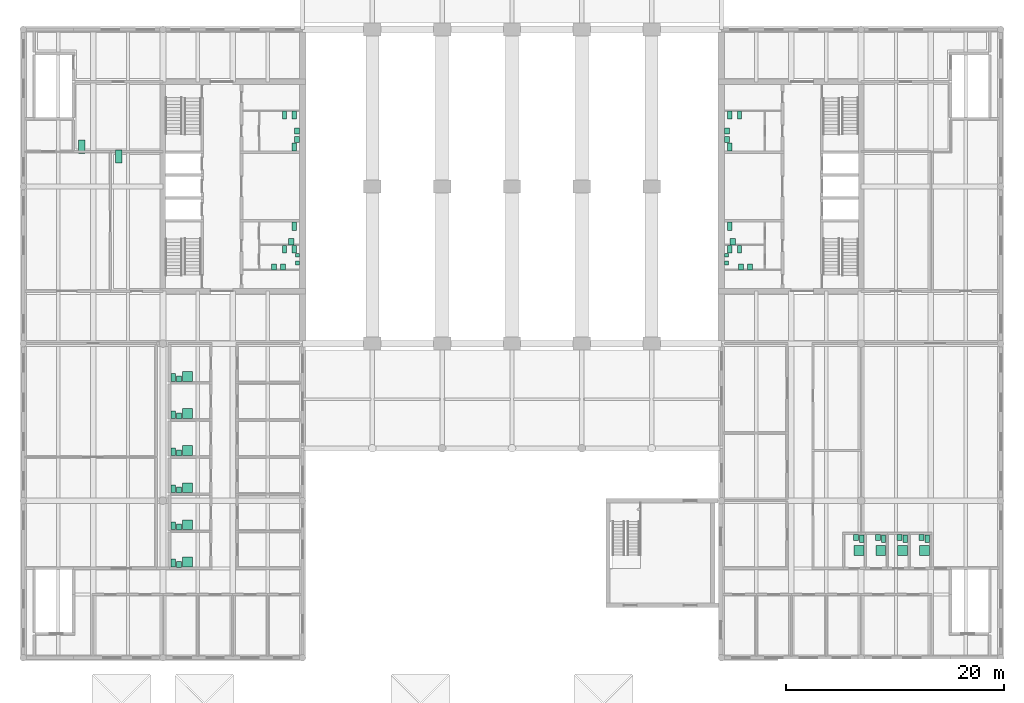
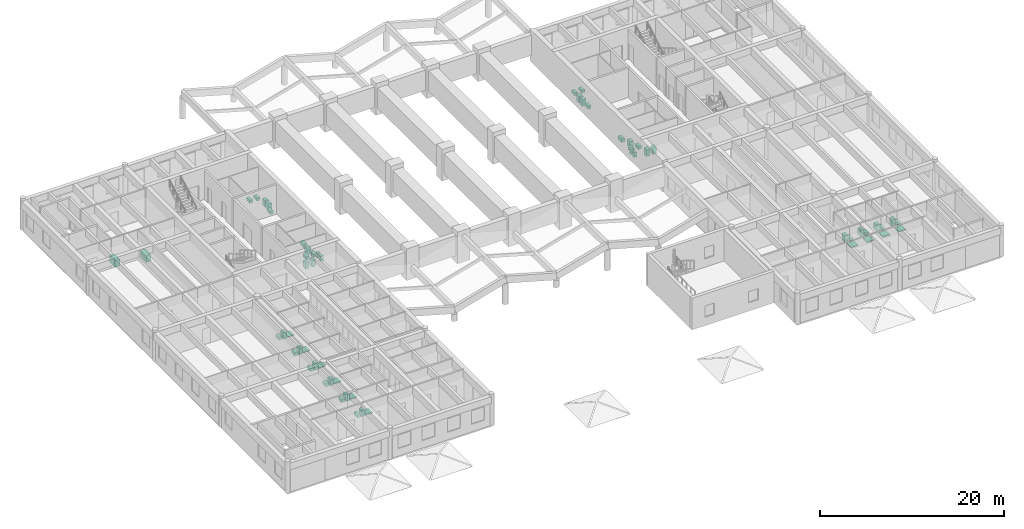
# One storey, part 19 of 19: 58 sanitary terminals.
"""IFC4 building model written with IfcOpenShell, lengths in metres."""

from ifc_helpers import new_model, si_unit, direction, frame, origin, origin_2d, place, context, subcontext, project, spatial, rectangle, extrude, material, type_object, element, save


model = new_model("IFC4")

# Units and contexts
model_context = context("Model", 3, precision=1e-05, world=origin(), true_north=direction((0.0, 1.0)))
body_context = subcontext(model_context, "Body", "Model", "MODEL_VIEW")
ifc_project = project(units=[si_unit("LENGTHUNIT", "METRE"), si_unit("AREAUNIT", "SQUARE_METRE"), si_unit("VOLUMEUNIT", "CUBIC_METRE"), si_unit("PLANEANGLEUNIT", "RADIAN"), si_unit("MASSUNIT", "GRAM", prefix="KILO")], contexts=[model_context])

# Site, building, storey
site_placement = place(None, origin())
site = spatial("IfcSite", under=ifc_project, at=site_placement, CompositionType="ELEMENT")
building_placement = place(site_placement, origin())
building = spatial("IfcBuilding", under=site, at=building_placement, Name="Fogon Plaza Fire Station and Headquarters Tower", CompositionType="ELEMENT")
storey_placement = place(building_placement, frame((0.0, 0.0, 4.199951171875)))
storey = spatial("IfcBuildingStorey", under=building, at=storey_placement, Name="L01", CompositionType="ELEMENT", Elevation=4.199951171875)

# Sanitary terminals
ifc_material_1 = material(Name="Vitreous china")
sanitary_terminal_type_1 = type_object("IfcSanitaryTerminalType", Name="Accessible Hand Basin 600x500", PredefinedType="WASHHANDBASIN", material=ifc_material_1)
for number, where, z_axis, x_axis, name in (
    (1, (24.550048828125, 38.14990234375, 0.0), (0.0, 0.0, 1.0), (1.0, 0.0, 0.0), "Accessible Hand Basin"),
    (2, (65.050048828125, 38.14990234375, 0.0), (0.0, 0.0, 1.0), (1.0, 0.0, 0.0), "Accessible Hand Basin"),
):
    element("IfcSanitaryTerminal", number, at=place(storey_placement, frame(where, z_axis=z_axis, x_axis=x_axis)), inside=storey, type_object=sanitary_terminal_type_1, Name=name, PredefinedType="WASHHANDBASIN", context=body_context, shape_type="SweptSolid", body=[
        extrude(rectangle(XDim=0.5, YDim=0.60009765625, at=origin_2d()), origin(), (0.0, 0.0, 1.0), 0.800048828125),
    ])
ifc_material_2 = material(Name="Vitreous china")
sanitary_terminal_type_2 = type_object("IfcSanitaryTerminalType", Name="Accessible WC Pan 400x750", PredefinedType="TOILETPAN", material=ifc_material_2)
for number, where, z_axis, x_axis, name in (
    (3, (24.85009765625, 39.550048828125, 0.0), (0.0, 0.0, 1.0), (1.0, 0.0, 0.0), "Accessible WC Pan"),
    (4, (64.75, 39.550048828125, 0.0), (0.0, 0.0, 1.0), (1.0, 0.0, 0.0), "Accessible WC Pan"),
):
    element("IfcSanitaryTerminal", number, at=place(storey_placement, frame(where, z_axis=z_axis, x_axis=x_axis)), inside=storey, type_object=sanitary_terminal_type_2, Name=name, PredefinedType="TOILETPAN", context=body_context, shape_type="SweptSolid", body=[
        extrude(rectangle(XDim=0.39990234375, YDim=0.75, at=origin_2d()), origin(), (0.0, 0.0, 1.0), 0.47998046875),
    ])
ifc_material_3 = material(Name="Vitreous china")
sanitary_terminal_type_3 = type_object("IfcSanitaryTerminalType", Name="Hand Basin 550x450", PredefinedType="WASHHANDBASIN", material=ifc_material_3)
for number, where, z_axis, x_axis, name in (
    (5, (23.800048828125, 35.824951171875, 0.0), (0.0, 0.0, 1.0), (1.0, 0.0, 0.0), "Hand Basin"),
    (6, (23.0, 35.824951171875, 0.0), (0.0, 0.0, 1.0), (1.0, 0.0, 0.0), "Hand Basin"),
    (7, (25.074951171875, 47.52490234375, 0.0), (0.0, 0.0, 1.0), (1.0, 0.0, 0.0), "Hand Basin"),
    (8, (25.074951171875, 48.27490234375, 0.0), (0.0, 0.0, 1.0), (1.0, 0.0, 0.0), "Hand Basin"),
    (9, (65.800048828125, 35.824951171875, 0.0), (0.0, 0.0, 1.0), (1.0, 0.0, 0.0), "Hand Basin"),
    (10, (66.60009765625, 35.824951171875, 0.0), (0.0, 0.0, 1.0), (1.0, 0.0, 0.0), "Hand Basin"),
    (11, (64.52490234375, 47.52490234375, 0.0), (0.0, 0.0, 1.0), (1.0, 0.0, 0.0), "Hand Basin"),
    (12, (64.52490234375, 48.27490234375, 0.0), (0.0, 0.0, 1.0), (1.0, 0.0, 0.0), "Hand Basin"),
    (13, (14.264892578125, 8.56494140625, 0.0), (0.0, 0.0, 1.0), (1.0, 0.0, 0.0), "Hand Basin"),
    (14, (14.264892578125, 11.965087890625, 0.0), (0.0, 0.0, 1.0), (1.0, 0.0, 0.0), "Hand Basin"),
    (15, (14.264892578125, 15.364990234375, 0.0), (0.0, 0.0, 1.0), (1.0, 0.0, 0.0), "Hand Basin"),
    (16, (14.264892578125, 18.764892578125, 0.0), (0.0, 0.0, 1.0), (1.0, 0.0, 0.0), "Hand Basin"),
    (17, (14.264892578125, 22.1650390625, 0.0), (0.0, 0.0, 1.0), (1.0, 0.0, 0.0), "Hand Basin"),
    (18, (14.264892578125, 25.56494140625, 0.0), (0.0, 0.0, 1.0), (1.0, 0.0, 0.0), "Hand Basin"),
    (19, (82.3349609375, 11.034912109375, 0.0), (0.0, 0.0, 1.0), (1.0, 0.0, 0.0), "Hand Basin"),
    (20, (80.3349609375, 11.034912109375, 0.0), (0.0, 0.0, 1.0), (1.0, 0.0, 0.0), "Hand Basin"),
    (21, (78.3349609375, 11.034912109375, 0.0), (0.0, 0.0, 1.0), (1.0, 0.0, 0.0), "Hand Basin"),
    (22, (76.3349609375, 11.034912109375, 0.0), (0.0, 0.0, 1.0), (1.0, 0.0, 0.0), "Hand Basin"),
):
    element("IfcSanitaryTerminal", number, at=place(storey_placement, frame(where, z_axis=z_axis, x_axis=x_axis)), inside=storey, type_object=sanitary_terminal_type_3, Name=name, PredefinedType="WASHHANDBASIN", context=body_context, shape_type="SweptSolid", body=[
        extrude(rectangle(XDim=0.449951171875, YDim=0.550048828125, at=origin_2d()), origin(), (0.0, 0.0, 1.0), 0.85009765625),
    ])
ifc_material_4 = material(Name="Vitreous china")
sanitary_terminal_type_4 = type_object("IfcSanitaryTerminalType", Name="Shower Tray 900x900", PredefinedType="SHOWER", material=ifc_material_4)
for number, where, z_axis, x_axis, name in (
    (23, (15.0400390625, 8.7900390625, 0.0), (0.0, 0.0, 1.0), (1.0, 0.0, 0.0), "Shower Tray"),
    (24, (15.0400390625, 12.18994140625, 0.0), (0.0, 0.0, 1.0), (1.0, 0.0, 0.0), "Shower Tray"),
    (25, (15.0400390625, 15.590087890625, 0.0), (0.0, 0.0, 1.0), (1.0, 0.0, 0.0), "Shower Tray"),
    (26, (15.0400390625, 18.989990234375, 0.0), (0.0, 0.0, 1.0), (1.0, 0.0, 0.0), "Shower Tray"),
    (27, (15.0400390625, 22.389892578125, 0.0), (0.0, 0.0, 1.0), (1.0, 0.0, 0.0), "Shower Tray"),
    (28, (15.0400390625, 25.7900390625, 0.0), (0.0, 0.0, 1.0), (1.0, 0.0, 0.0), "Shower Tray"),
    (29, (82.610107421875, 9.840087890625, 0.0), (0.0, 0.0, 1.0), (1.0, 0.0, 0.0), "Shower Tray"),
    (30, (80.610107421875, 9.840087890625, 0.0), (0.0, 0.0, 1.0), (1.0, 0.0, 0.0), "Shower Tray"),
    (31, (78.610107421875, 9.840087890625, 0.0), (0.0, 0.0, 1.0), (1.0, 0.0, 0.0), "Shower Tray"),
    (32, (76.610107421875, 9.840087890625, 0.0), (0.0, 0.0, 1.0), (1.0, 0.0, 0.0), "Shower Tray"),
):
    element("IfcSanitaryTerminal", number, at=place(storey_placement, frame(where, z_axis=z_axis, x_axis=x_axis)), inside=storey, type_object=sanitary_terminal_type_4, Name=name, PredefinedType="SHOWER", context=body_context, shape_type="SweptSolid", body=[
        extrude(rectangle(XDim=0.89990234375, YDim=0.89990234375, at=origin_2d()), origin(), (0.0, 0.0, 1.0), 0.10009765625),
    ])
ifc_material_5 = material(Name="Stainless Steel", Category="steel")
sanitary_terminal_type_5 = type_object("IfcSanitaryTerminalType", Name="Sink Single Bowl 1200x600", PredefinedType="SINK", material=ifc_material_5)
for number, where, z_axis, x_axis, name in (
    (33, (8.739990234375, 45.9599609375, 0.0), (0.0, 0.0, 1.0), (1.0, 0.0, 0.0), "Sink Single Bowl"),
    (34, (5.340087890625, 46.840087890625, 0.0), (0.0, 0.0, 1.0), (1.0, 0.0, 0.0), "Sink Single Bowl"),
):
    element("IfcSanitaryTerminal", number, at=place(storey_placement, frame(where, z_axis=z_axis, x_axis=x_axis)), inside=storey, type_object=sanitary_terminal_type_5, Name=name, PredefinedType="SINK", context=body_context, shape_type="SweptSolid", body=[
        extrude(rectangle(XDim=0.60009765625, YDim=1.199951171875, at=origin_2d()), origin(), (0.0, 0.0, 1.0), 0.89990234375),
    ])
ifc_material_6 = material(Name="Vitreous china")
sanitary_terminal_type_6 = type_object("IfcSanitaryTerminalType", Name="Urinal 350x350", PredefinedType="URINAL", material=ifc_material_6)
for number, where, z_axis, x_axis, name in (
    (35, (25.125, 36.199951171875, 0.0), (0.0, 0.0, 1.0), (1.0, 0.0, 0.0), "Urinal"),
    (36, (25.125, 36.89990234375, 0.0), (0.0, 0.0, 1.0), (1.0, 0.0, 0.0), "Urinal"),
    (37, (64.47509765625, 36.199951171875, 0.0), (0.0, 0.0, 1.0), (1.0, 0.0, 0.0), "Urinal"),
    (38, (64.47509765625, 36.89990234375, 0.0), (0.0, 0.0, 1.0), (1.0, 0.0, 0.0), "Urinal"),
):
    element("IfcSanitaryTerminal", number, at=place(storey_placement, frame(where, z_axis=z_axis, x_axis=x_axis)), inside=storey, type_object=sanitary_terminal_type_6, Name=name, PredefinedType="URINAL", context=body_context, shape_type="SweptSolid", body=[
        extrude(rectangle(XDim=0.35009765625, YDim=0.35009765625, at=origin_2d()), origin(), (0.0, 0.0, 1.0), 0.64990234375),
    ])
ifc_material_7 = material(Name="Vitreous china")
sanitary_terminal_type_7 = type_object("IfcSanitaryTerminalType", Name="WC Pan 400x700", PredefinedType="TOILETPAN", material=ifc_material_7)
for number, where, z_axis, x_axis, name in (
    (39, (24.85009765625, 37.449951171875, 0.0), (0.0, 0.0, 1.0), (1.0, 0.0, 0.0), "WC Pan"),
    (40, (23.949951171875, 37.449951171875, 0.0), (0.0, 0.0, 1.0), (1.0, 0.0, 0.0), "WC Pan"),
    (41, (24.85009765625, 49.75, 0.0), (0.0, 0.0, 1.0), (1.0, 0.0, 0.0), "WC Pan"),
    (42, (23.949951171875, 49.75, 0.0), (0.0, 0.0, 1.0), (1.0, 0.0, 0.0), "WC Pan"),
    (43, (24.85009765625, 46.824951171875, 0.0), (0.0, 0.0, 1.0), (1.0, 0.0, 0.0), "WC Pan"),
    (44, (64.75, 37.449951171875, 0.0), (0.0, 0.0, 1.0), (1.0, 0.0, 0.0), "WC Pan"),
    (45, (65.64990234375, 37.449951171875, 0.0), (0.0, 0.0, 1.0), (1.0, 0.0, 0.0), "WC Pan"),
    (46, (64.75, 49.75, 0.0), (0.0, 0.0, 1.0), (1.0, 0.0, 0.0), "WC Pan"),
    (47, (65.64990234375, 49.75, 0.0), (0.0, 0.0, 1.0), (1.0, 0.0, 0.0), "WC Pan"),
    (48, (64.75, 46.824951171875, 0.0), (0.0, 0.0, 1.0), (1.0, 0.0, 0.0), "WC Pan"),
    (49, (13.739990234375, 8.68994140625, 0.0), (0.0, 0.0, 1.0), (1.0, 0.0, 0.0), "WC Pan"),
    (50, (13.739990234375, 12.090087890625, 0.0), (0.0, 0.0, 1.0), (1.0, 0.0, 0.0), "WC Pan"),
    (51, (13.739990234375, 15.489990234375, 0.0), (0.0, 0.0, 1.0), (1.0, 0.0, 0.0), "WC Pan"),
    (52, (13.739990234375, 18.889892578125, 0.0), (0.0, 0.0, 1.0), (1.0, 0.0, 0.0), "WC Pan"),
    (53, (13.739990234375, 22.2900390625, 0.0), (0.0, 0.0, 1.0), (1.0, 0.0, 0.0), "WC Pan"),
    (54, (13.739990234375, 25.68994140625, 0.0), (0.0, 0.0, 1.0), (1.0, 0.0, 0.0), "WC Pan"),
    (55, (82.860107421875, 10.909912109375, 0.0), (0.0, 0.0, 1.0), (1.0, 0.0, 0.0), "WC Pan"),
    (56, (80.860107421875, 10.909912109375, 0.0), (0.0, 0.0, 1.0), (1.0, 0.0, 0.0), "WC Pan"),
    (57, (78.860107421875, 10.909912109375, 0.0), (0.0, 0.0, 1.0), (1.0, 0.0, 0.0), "WC Pan"),
    (58, (76.860107421875, 10.909912109375, 0.0), (0.0, 0.0, 1.0), (1.0, 0.0, 0.0), "WC Pan"),
):
    element("IfcSanitaryTerminal", number, at=place(storey_placement, frame(where, z_axis=z_axis, x_axis=x_axis)), inside=storey, type_object=sanitary_terminal_type_7, Name=name, PredefinedType="TOILETPAN", context=body_context, shape_type="SweptSolid", body=[
        extrude(rectangle(XDim=0.39990234375, YDim=0.699951171875, at=origin_2d()), origin(), (0.0, 0.0, 1.0), 0.39990234375),
    ])

save(model, "model.ifc")
